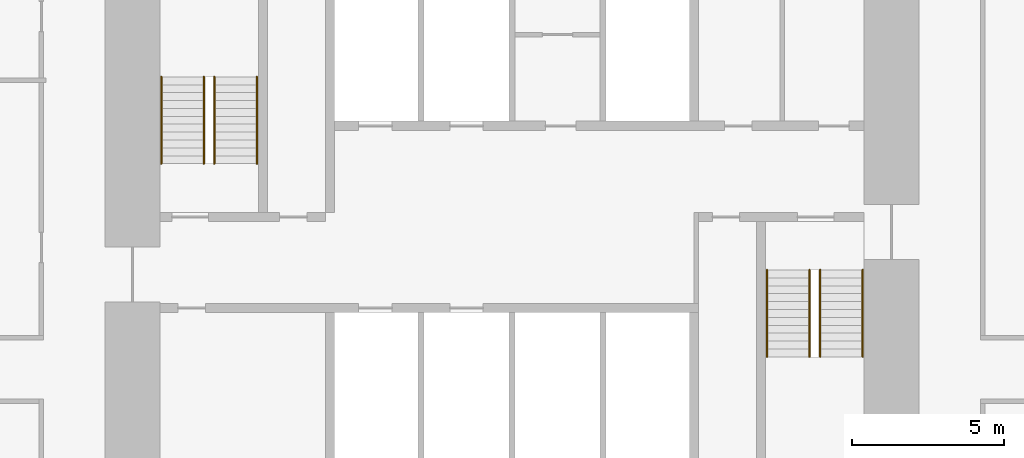
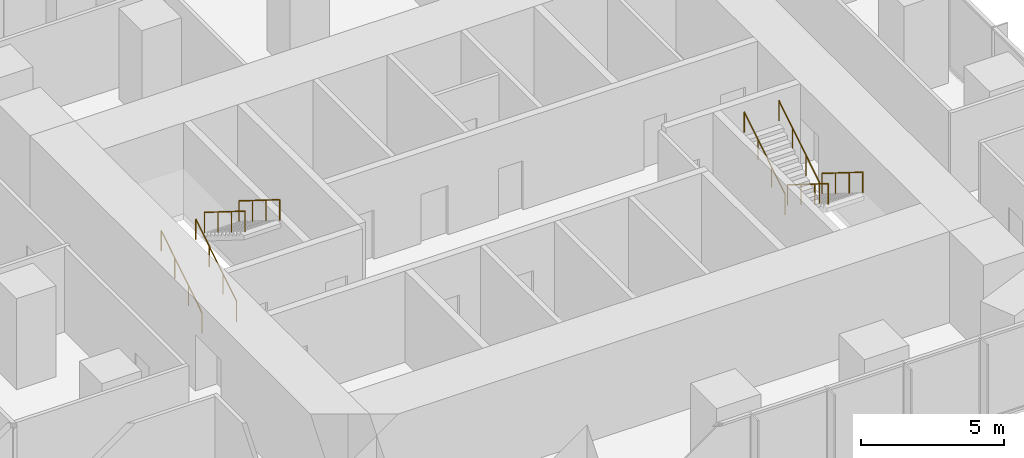
# One storey, part 11 of 11: 8 railings.
"""IFC4 building model written with IfcOpenShell, lengths in metres."""

from ifc_helpers import new_model, si_unit, direction, frame, origin, origin_2d, place, context, subcontext, project, spatial, circle, extrude, material, type_object, element, save


model = new_model("IFC4")

# Units and contexts
model_context = context("Model", 3, precision=1e-05, world=origin(), true_north=direction((0.0, 1.0)))
body_context = subcontext(model_context, "Body", "Model", "MODEL_VIEW")
ifc_project = project(units=[si_unit("LENGTHUNIT", "METRE"), si_unit("AREAUNIT", "SQUARE_METRE"), si_unit("VOLUMEUNIT", "CUBIC_METRE"), si_unit("PLANEANGLEUNIT", "RADIAN"), si_unit("MASSUNIT", "GRAM", prefix="KILO")], contexts=[model_context])

# Site, building, storey
site_placement = place(None, origin())
site = spatial("IfcSite", under=ifc_project, at=site_placement, CompositionType="ELEMENT")
building_placement = place(site_placement, origin())
building = spatial("IfcBuilding", under=site, at=building_placement, Name="Highveld Stack Headquarters", CompositionType="ELEMENT")
storey_placement = place(building_placement, frame((0.0, 0.0, 113.300048828125)))
storey = spatial("IfcBuildingStorey", under=building, at=storey_placement, Name="L27", CompositionType="ELEMENT", Elevation=113.300048828125)

# Railings
ifc_material = material(Name="Stainless steel handrail", Category="steel")
railing_type = type_object("IfcRailingType", Name="STAIR HANDRAIL HR1 900", PredefinedType="HANDRAIL", material=ifc_material)
for number, where, name in (
    (1, (-5.550048828125, 4.75, 0.162353515625), "Handrail S1 L27 flight 1"),
    (2, (-4.14990234375, 4.75, 0.162353515625), "Handrail S1 L27 flight 1"),
):
    element("IfcRailing", number, at=place(storey_placement, frame(where)), inside=storey, type_object=railing_type, Name=name, PredefinedType="HANDRAIL", context=body_context, shape_type="SweptSolid", body=[
        extrude(circle(Radius=0.02392578125, at=origin_2d()), frame((0.0, 0.0, 0.8759765625), z_axis=(0.0, 0.847994237388, 0.530005446535), x_axis=(-1.0, 0.0, 0.0)), (0.0, 0.0, 1.0), 3.372802734375),
        extrude(circle(Radius=0.02099609375, at=origin_2d()), origin(), (0.0, 0.0, 1.0), 0.851806640625),
        extrude(circle(Radius=0.02099609375, at=origin_2d()), frame((0.0, 0.953369140625, 0.595947265625)), (0.0, 0.0, 1.0), 0.851806640625),
        extrude(circle(Radius=0.02099609375, at=origin_2d()), frame((0.0, 1.90673828125, 1.191650390625)), (0.0, 0.0, 1.0), 0.851806640625),
        extrude(circle(Radius=0.02099609375, at=origin_2d()), frame((0.0, 2.860107421875, 1.78759765625)), (0.0, 0.0, 1.0), 0.851806640625),
    ])
for number, where, name in (
    (3, (-3.800048828125, 7.610107421875, 2.112548828125), "Handrail S1 L27 flight 2"),
    (4, (-2.39990234375, 7.610107421875, 2.112548828125), "Handrail S1 L27 flight 2"),
):
    element("IfcRailing", number, at=place(storey_placement, frame(where)), inside=storey, type_object=railing_type, Name=name, PredefinedType="HANDRAIL", context=body_context, shape_type="SweptSolid", body=[
        extrude(circle(Radius=0.02392578125, at=origin_2d()), frame((0.0, 0.0, 0.8759765625), z_axis=(0.0, -0.848026770018, 0.529953391661), x_axis=(1.0, 0.0, 0.0)), (0.0, 0.0, 1.0), 3.37255859375),
        extrude(circle(Radius=0.02099609375, at=origin_2d()), origin(), (0.0, 0.0, 1.0), 0.851806640625),
        extrude(circle(Radius=0.02099609375, at=origin_2d()), frame((0.0, -0.953369140625, 0.595703125)), (0.0, 0.0, 1.0), 0.851806640625),
        extrude(circle(Radius=0.02099609375, at=origin_2d()), frame((0.0, -1.90673828125, 1.191650390625)), (0.0, 0.0, 1.0), 0.851806640625),
        extrude(circle(Radius=0.02099609375, at=origin_2d()), frame((0.0, -2.860107421875, 1.787353515625)), (0.0, 0.0, 1.0), 0.851806640625),
    ])
for number, where, name in (
    (5, (16.14990234375, 1.25, 0.162353515625), "Handrail S2 L27 flight 1"),
    (6, (17.550048828125, 1.25, 0.162353515625), "Handrail S2 L27 flight 1"),
):
    element("IfcRailing", number, at=place(storey_placement, frame(where)), inside=storey, type_object=railing_type, Name=name, PredefinedType="HANDRAIL", context=body_context, shape_type="SweptSolid", body=[
        extrude(circle(Radius=0.02392578125, at=origin_2d()), frame((0.0, 0.0, 0.8759765625), z_axis=(0.0, -0.847994237388, 0.530005446535), x_axis=(1.0, 0.0, 0.0)), (0.0, 0.0, 1.0), 3.372802734375),
        extrude(circle(Radius=0.02099609375, at=origin_2d()), origin(), (0.0, 0.0, 1.0), 0.851806640625),
        extrude(circle(Radius=0.02099609375, at=origin_2d()), frame((0.0, -0.953369140625, 0.595947265625)), (0.0, 0.0, 1.0), 0.851806640625),
        extrude(circle(Radius=0.02099609375, at=origin_2d()), frame((0.0, -1.90673828125, 1.191650390625)), (0.0, 0.0, 1.0), 0.851806640625),
        extrude(circle(Radius=0.02099609375, at=origin_2d()), frame((0.0, -2.860107421875, 1.78759765625)), (0.0, 0.0, 1.0), 0.851806640625),
    ])
for number, where, name in (
    (7, (14.39990234375, -1.610107421875, 2.112548828125), "Handrail S2 L27 flight 2"),
    (8, (15.800048828125, -1.610107421875, 2.112548828125), "Handrail S2 L27 flight 2"),
):
    element("IfcRailing", number, at=place(storey_placement, frame(where)), inside=storey, type_object=railing_type, Name=name, PredefinedType="HANDRAIL", context=body_context, shape_type="SweptSolid", body=[
        extrude(circle(Radius=0.02392578125, at=origin_2d()), frame((0.0, 0.0, 0.8759765625), z_axis=(0.0, 0.848026770018, 0.529953391661), x_axis=(-1.0, 0.0, 0.0)), (0.0, 0.0, 1.0), 3.37255859375),
        extrude(circle(Radius=0.02099609375, at=origin_2d()), origin(), (0.0, 0.0, 1.0), 0.851806640625),
        extrude(circle(Radius=0.02099609375, at=origin_2d()), frame((0.0, 0.953369140625, 0.595703125)), (0.0, 0.0, 1.0), 0.851806640625),
        extrude(circle(Radius=0.02099609375, at=origin_2d()), frame((0.0, 1.90673828125, 1.191650390625)), (0.0, 0.0, 1.0), 0.851806640625),
        extrude(circle(Radius=0.02099609375, at=origin_2d()), frame((0.0, 2.860107421875, 1.787353515625)), (0.0, 0.0, 1.0), 0.851806640625),
    ])

save(model, "model.ifc")
